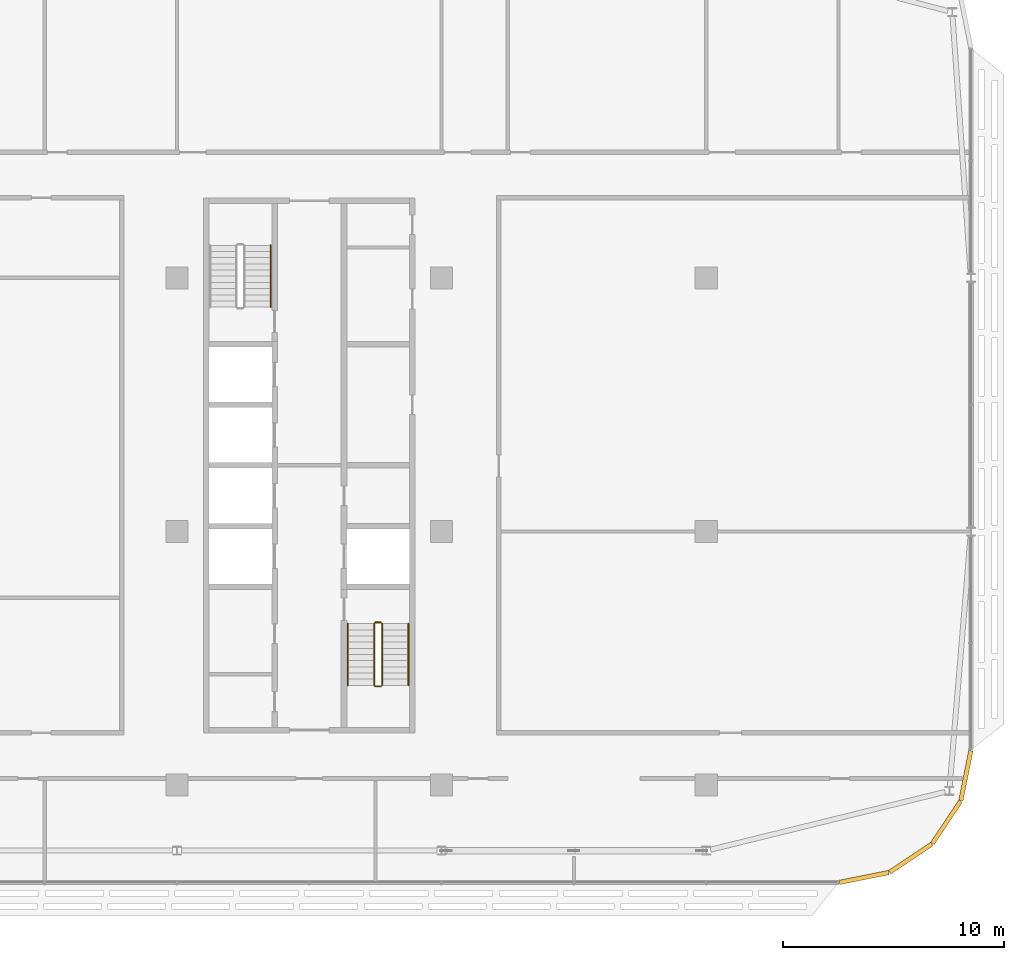
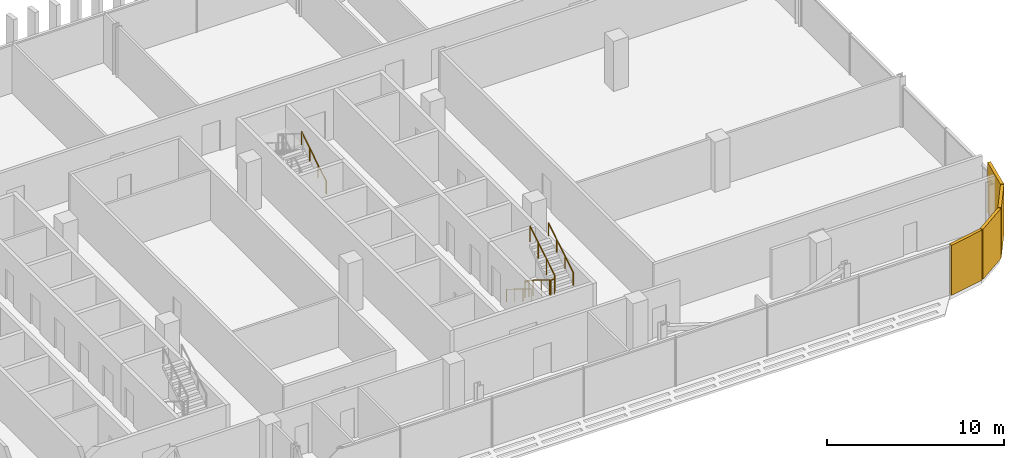
# One storey, part 31 of 32: 7 railings, 4 coverings.
"""IFC4 building model written with IfcOpenShell, lengths in metres."""

from ifc_helpers import new_model, si_unit, direction, frame, origin, origin_2d, place, context, subcontext, project, spatial, rectangle, circle, extrude, material, layer, layer_set, type_object, element, save


model = new_model("IFC4")

# Units and contexts
model_context = context("Model", 3, precision=1e-05, world=origin(), true_north=direction((0.0, 1.0)))
body_context = subcontext(model_context, "Body", "Model", "MODEL_VIEW")
ifc_project = project(units=[si_unit("LENGTHUNIT", "METRE"), si_unit("AREAUNIT", "SQUARE_METRE"), si_unit("VOLUMEUNIT", "CUBIC_METRE"), si_unit("PLANEANGLEUNIT", "RADIAN"), si_unit("MASSUNIT", "GRAM", prefix="KILO")], contexts=[model_context])

# Site, building, storey
site_placement = place(None, origin())
site = spatial("IfcSite", under=ifc_project, at=site_placement, CompositionType="ELEMENT")
building_placement = place(site_placement, origin())
building = spatial("IfcBuilding", under=site, at=building_placement, Name="Mahtab Terrace Research Tower", CompositionType="ELEMENT")
storey_placement = place(building_placement, frame((0.0, 0.0, 240.0)))
storey = spatial("IfcBuildingStorey", under=building, at=storey_placement, Name="L58", CompositionType="ELEMENT", Elevation=240.0)

# Coverings
ifc_material_1 = material(Name="Black aluminium cladding panel", Category="aluminium")
ifc_layer = layer(ifc_material_1, 0.199951171875)
ifc_layer_set = layer_set([ifc_layer], Name="Black metal corner cladding 200")
covering_type = type_object("IfcCoveringType", Name="Black metal corner cladding 200", PredefinedType="CLADDING", material=ifc_layer_set)
for number, where, z_axis, x_axis, name in (
    (1, (49.14794921875, -15.6884765625, 0.0), (0.0, 0.0, 1.0), (0.980760981187, 0.195212442692, 0.0), "Corner cladding L58 17"),
    (2, (51.26953125, -14.81005859375, 0.0), (0.0, 0.0, 1.0), (0.831655794326, 0.555291490808, 0.0), "Corner cladding L58 18"),
    (3, (52.89306640625, -13.1865234375, 0.0), (0.0, 0.0, 1.0), (0.555291490808, 0.831655794326, 0.0), "Corner cladding L58 19"),
    (4, (53.771484375, -11.06494140625, 0.0), (0.0, 0.0, 1.0), (0.195212442692, 0.980760981187, 0.0), "Corner cladding L58 20"),
):
    element("IfcCovering", number, at=place(storey_placement, frame(where, z_axis=z_axis, x_axis=x_axis)), inside=storey, type_object=covering_type, Name=name, PredefinedType="CLADDING", context=body_context, shape_type="SweptSolid", body=[
        extrude(rectangle(XDim=2.30126953125, YDim=0.199951171875, at=origin_2d()), origin(), (0.0, 0.0, 1.0), 3.4599609375),
    ])

# Railings
ifc_material_2 = material(Name="Stainless steel AISI 304", Category="steel")
railing_type_1 = type_object("IfcRailingType", Name="Stair guard 1100", PredefinedType="GUARDRAIL", material=ifc_material_2)
railing_1_placement = place(storey_placement, frame((26.949951171875, -4.175048828125, 0.172607421875)))
element("IfcRailing", 5, at=railing_1_placement, inside=storey, type_object=railing_type_1, Name="L58 ST4 stair guard 1", PredefinedType="GUARDRAIL", context=body_context, shape_type="SweptSolid", body=[
    extrude(circle(Radius=0.02392578125, at=origin_2d()), frame((0.0, 0.0, 1.076171875), z_axis=(0.0, -0.851089632645, 0.525020415988), x_axis=(1.0, 0.0, 0.0)), (0.0, 0.0, 1.0), 3.2900390625),
    extrude(circle(Radius=0.02099609375, at=origin_2d()), origin(), (0.0, 0.0, 1.0), 1.052001953125),
    extrude(circle(Radius=0.02099609375, at=origin_2d()), frame((0.0, -0.933349609375, 0.57568359375)), (0.0, 0.0, 1.0), 1.052001953125),
    extrude(circle(Radius=0.02099609375, at=origin_2d()), frame((0.0, -1.86669921875, 1.151611328125)), (0.0, 0.0, 1.0), 1.052001953125),
    extrude(circle(Radius=0.02099609375, at=origin_2d()), frame((0.0, -2.800048828125, 1.727294921875)), (0.0, 0.0, 1.0), 1.052001953125),
])
railing_2_placement = place(storey_placement, frame((27.0, -7.02490234375, 1.89990234375)))
element("IfcRailing", 6, at=railing_2_placement, inside=storey, type_object=railing_type_1, Name="L58 ST4 stair guard 2", PredefinedType="GUARDRAIL", context=body_context, shape_type="SweptSolid", body=[
    extrude(circle(Radius=0.02392578125, at=origin_2d()), frame((0.0, 0.0, 1.076171875), z_axis=(1.0, 0.0, 0.0), x_axis=(0.0, 1.0, 0.0)), (0.0, 0.0, 1.0), 0.25),
    extrude(circle(Radius=0.02099609375, at=origin_2d()), origin(), (0.0, 0.0, 1.0), 1.052001953125),
    extrude(circle(Radius=0.02099609375, at=origin_2d()), frame((0.25, 0.0, 0.0)), (0.0, 0.0, 1.0), 1.052001953125),
])
railing_3_placement = place(storey_placement, frame((27.300048828125, -6.97509765625, 2.07275390625)))
element("IfcRailing", 7, at=railing_3_placement, inside=storey, type_object=railing_type_1, Name="L58 ST4 stair guard 3", PredefinedType="GUARDRAIL", context=body_context, shape_type="SweptSolid", body=[
    extrude(circle(Radius=0.02392578125, at=origin_2d()), frame((0.0, 0.0, 1.076171875), z_axis=(0.0, 0.851089632645, 0.525020415988), x_axis=(-1.0, 0.0, 0.0)), (0.0, 0.0, 1.0), 3.2900390625),
    extrude(circle(Radius=0.02099609375, at=origin_2d()), origin(), (0.0, 0.0, 1.0), 1.052001953125),
    extrude(circle(Radius=0.02099609375, at=origin_2d()), frame((0.0, 0.933349609375, 0.57568359375)), (0.0, 0.0, 1.0), 1.052001953125),
    extrude(circle(Radius=0.02099609375, at=origin_2d()), frame((0.0, 1.86669921875, 1.151611328125)), (0.0, 0.0, 1.0), 1.052001953125),
    extrude(circle(Radius=0.02099609375, at=origin_2d()), frame((0.0, 2.800048828125, 1.727294921875)), (0.0, 0.0, 1.0), 1.052001953125),
])
railing_4_placement = place(storey_placement, frame((27.0, -4.125, 0.0)))
element("IfcRailing", 8, at=railing_4_placement, inside=storey, type_object=railing_type_1, Name="L58 ST4 stair guard 4", PredefinedType="GUARDRAIL", context=body_context, shape_type="SweptSolid", body=[
    extrude(circle(Radius=0.02392578125, at=origin_2d()), frame((0.0, 0.0, 1.076171875), z_axis=(1.0, 0.0, 0.0), x_axis=(0.0, 1.0, 0.0)), (0.0, 0.0, 1.0), 0.25),
    extrude(circle(Radius=0.02099609375, at=origin_2d()), origin(), (0.0, 0.0, 1.0), 1.052001953125),
    extrude(circle(Radius=0.02099609375, at=origin_2d()), frame((0.25, 0.0, 0.0)), (0.0, 0.0, 1.0), 1.052001953125),
])
railing_type_2 = type_object("IfcRailingType", Name="Stair handrail 900", PredefinedType="HANDRAIL", material=ifc_material_2)
railing_5_placement = place(storey_placement, frame((22.25, 10.175048828125, 0.172607421875)))
element("IfcRailing", 9, at=railing_5_placement, inside=storey, type_object=railing_type_2, Name="L58 ST3 stair handrail 1", PredefinedType="HANDRAIL", context=body_context, shape_type="SweptSolid", body=[
    extrude(circle(Radius=0.02392578125, at=origin_2d()), frame((0.0, 0.0, 0.8759765625), z_axis=(0.0, 0.851089632645, 0.525020415988), x_axis=(-1.0, 0.0, 0.0)), (0.0, 0.0, 1.0), 3.2900390625),
    extrude(circle(Radius=0.02099609375, at=origin_2d()), origin(), (0.0, 0.0, 1.0), 0.851806640625),
    extrude(circle(Radius=0.02099609375, at=origin_2d()), frame((0.0, 0.933349609375, 0.57568359375)), (0.0, 0.0, 1.0), 0.851806640625),
    extrude(circle(Radius=0.02099609375, at=origin_2d()), frame((0.0, 1.86669921875, 1.151611328125)), (0.0, 0.0, 1.0), 0.851806640625),
    extrude(circle(Radius=0.02099609375, at=origin_2d()), frame((0.0, 2.800048828125, 1.727294921875)), (0.0, 0.0, 1.0), 0.851806640625),
])
railing_6_placement = place(storey_placement, frame((25.75, -4.175048828125, 0.172607421875)))
element("IfcRailing", 10, at=railing_6_placement, inside=storey, type_object=railing_type_2, Name="L58 ST4 stair handrail 1", PredefinedType="HANDRAIL", context=body_context, shape_type="SweptSolid", body=[
    extrude(circle(Radius=0.02392578125, at=origin_2d()), frame((0.0, 0.0, 0.8759765625), z_axis=(0.0, -0.851089632645, 0.525020415988), x_axis=(1.0, 0.0, 0.0)), (0.0, 0.0, 1.0), 3.2900390625),
    extrude(circle(Radius=0.02099609375, at=origin_2d()), origin(), (0.0, 0.0, 1.0), 0.851806640625),
    extrude(circle(Radius=0.02099609375, at=origin_2d()), frame((0.0, -0.933349609375, 0.57568359375)), (0.0, 0.0, 1.0), 0.851806640625),
    extrude(circle(Radius=0.02099609375, at=origin_2d()), frame((0.0, -1.86669921875, 1.151611328125)), (0.0, 0.0, 1.0), 0.851806640625),
    extrude(circle(Radius=0.02099609375, at=origin_2d()), frame((0.0, -2.800048828125, 1.727294921875)), (0.0, 0.0, 1.0), 0.851806640625),
])
railing_7_placement = place(storey_placement, frame((28.5, -6.97509765625, 2.07275390625)))
element("IfcRailing", 11, at=railing_7_placement, inside=storey, type_object=railing_type_2, Name="L58 ST4 stair handrail 2", PredefinedType="HANDRAIL", context=body_context, shape_type="SweptSolid", body=[
    extrude(circle(Radius=0.02392578125, at=origin_2d()), frame((0.0, 0.0, 0.8759765625), z_axis=(0.0, 0.851089632645, 0.525020415988), x_axis=(-1.0, 0.0, 0.0)), (0.0, 0.0, 1.0), 3.2900390625),
    extrude(circle(Radius=0.02099609375, at=origin_2d()), origin(), (0.0, 0.0, 1.0), 0.851806640625),
    extrude(circle(Radius=0.02099609375, at=origin_2d()), frame((0.0, 0.933349609375, 0.57568359375)), (0.0, 0.0, 1.0), 0.851806640625),
    extrude(circle(Radius=0.02099609375, at=origin_2d()), frame((0.0, 1.86669921875, 1.151611328125)), (0.0, 0.0, 1.0), 0.851806640625),
    extrude(circle(Radius=0.02099609375, at=origin_2d()), frame((0.0, 2.800048828125, 1.727294921875)), (0.0, 0.0, 1.0), 0.851806640625),
])

save(model, "model.ifc")
